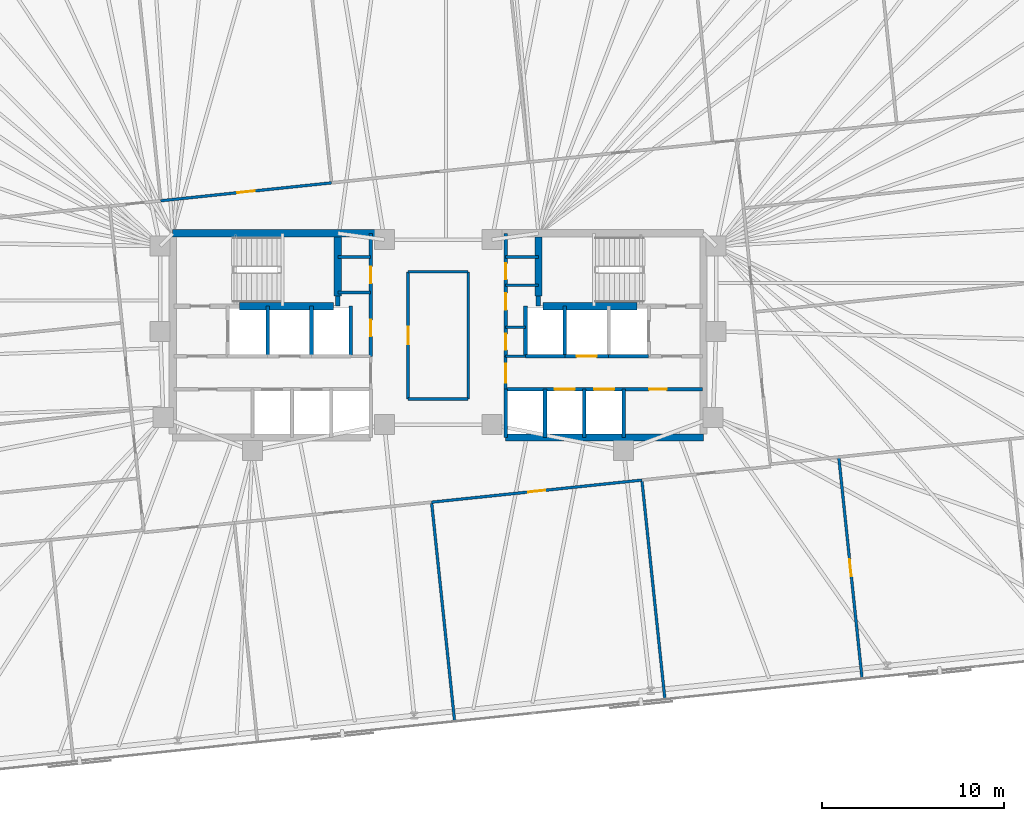
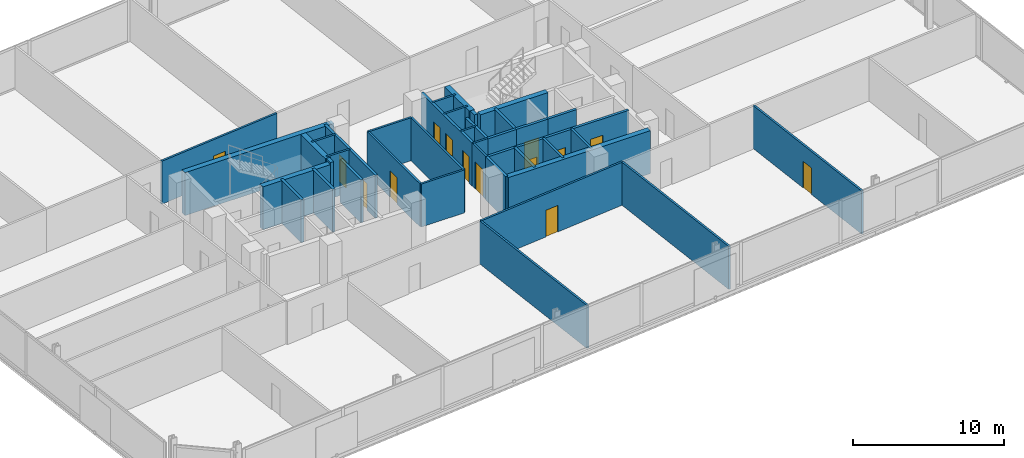
# One storey, part 15 of 18: 39 walls, 14 doors, 14 openings.
"""IFC4 building model written with IfcOpenShell, lengths in metres."""

from ifc_helpers import new_model, si_unit, direction, frame, frame_2d, origin, place, context, subcontext, project, spatial, rectangle, extrude, material, layer, layer_set, type_object, element, fill, save


model = new_model("IFC4")

# Units and contexts
model_context = context("Model", 3, precision=1e-05, world=origin(), true_north=direction((0.0, 1.0)))
body_context = subcontext(model_context, "Body", "Model", "MODEL_VIEW")
ifc_project = project(units=[si_unit("LENGTHUNIT", "METRE"), si_unit("AREAUNIT", "SQUARE_METRE"), si_unit("VOLUMEUNIT", "CUBIC_METRE"), si_unit("PLANEANGLEUNIT", "RADIAN"), si_unit("MASSUNIT", "GRAM", prefix="KILO")], contexts=[model_context])

# Site, building, storey
site_placement = place(None, origin())
site = spatial("IfcSite", under=ifc_project, at=site_placement, CompositionType="ELEMENT")
building_placement = place(site_placement, origin())
building = spatial("IfcBuilding", under=site, at=building_placement, Name="Menara Jurai Vektor", CompositionType="ELEMENT")
storey_placement = place(building_placement, frame((0.0, 0.0, 98.5)))
storey = spatial("IfcBuildingStorey", under=building, at=storey_placement, Name="L24", CompositionType="ELEMENT", Elevation=98.5)

# Walls
ifc_material_1 = material(Name="Concrete C40/50", Category="concrete")
ifc_layer_1 = layer(ifc_material_1, 0.25)
ifc_layer_set_1 = layer_set([ifc_layer_1], Name="Concrete C40/50")
wall_type_1 = type_object("IfcWallType", Name="INT-WALL-CORE-250", PredefinedType="STANDARD", material=ifc_layer_set_1)
wall_1_placement = place(storey_placement, frame((-5.5, 1.60009765625, 0.0), z_axis=(0.0, 0.0, 1.0), x_axis=(0.0, 1.0, 0.0)))
element("IfcWall", 1, at=wall_1_placement, inside=storey, type_object=wall_type_1, Name="Interior Wall IW-250 L24", PredefinedType="STANDARD", context=body_context, shape_type="SweptSolid", body=[
    extrude(rectangle(XDim=0.5498046875, YDim=0.25, at=frame_2d((0.27490234375, 0.0))), origin(), (0.0, 0.0, 1.0), 3.47509765625),
])
wall_2_placement = place(storey_placement, frame((-9.35009765625, -1.14990234375, 0.0), z_axis=(0.0, 0.0, 1.0), x_axis=(0.0, 1.0, 0.0)))
element("IfcWall", 2, at=wall_2_placement, inside=storey, type_object=wall_type_1, Name="Interior Wall IW-250 L24", PredefinedType="STANDARD", context=body_context, shape_type="SweptSolid", body=[
    extrude(rectangle(XDim=2.75, YDim=0.199951171875, at=frame_2d((1.375, 0.0))), origin(), (0.0, 0.0, 1.0), 3.47509765625),
])
wall_3_placement = place(storey_placement, frame((5.5, 1.60009765625, 0.0), z_axis=(0.0, 0.0, 1.0), x_axis=(0.0, 1.0, 0.0)))
element("IfcWall", 3, at=wall_3_placement, inside=storey, type_object=wall_type_1, Name="Interior Wall IW-250 L24", PredefinedType="STANDARD", context=body_context, shape_type="SweptSolid", body=[
    extrude(rectangle(XDim=0.5498046875, YDim=0.25, at=frame_2d((0.27490234375, 0.0))), origin(), (0.0, 0.0, 1.0), 3.47509765625),
])
wall_4_placement = place(storey_placement, frame((9.35009765625, -1.14990234375, 0.0), z_axis=(0.0, 0.0, 1.0), x_axis=(1.0, 0.0, 0.0)))
element("IfcWall", 4, at=wall_4_placement, inside=storey, type_object=wall_type_1, Name="Interior Wall IW-250 L24", PredefinedType="STANDARD", context=body_context, shape_type="SweptSolid", body=[
    extrude(rectangle(XDim=2.199951171875, YDim=0.199951171875, at=frame_2d((1.10009765625, 0.0))), origin(), (0.0, 0.0, 1.0), 3.47509765625),
])

# Wall, opening, door
ifc_material_2 = material(Name="Gypsum Fireboard Partition", Category="gypsum")
ifc_layer_2 = layer(ifc_material_2, 0.14990234375)
ifc_layer_set_2 = layer_set([ifc_layer_2], Name="Gypsum Fireboard Partition")
wall_type_2 = type_object("IfcWallType", Name="INT-WALL-CORR-150", PredefinedType="PARTITIONING", material=ifc_layer_set_2)
wall_5_placement = place(storey_placement, frame((3.699951171875, -2.949951171875, 0.0), z_axis=(0.0, 0.0, 1.0), x_axis=(0.0, 1.0, 0.0)))
wall_5 = element("IfcWall", 5, at=wall_5_placement, inside=storey, type_object=wall_type_2, Name="Interior Wall IW-150 L24", PredefinedType="PARTITIONING", context=body_context, shape_type="SweptSolid", body=[
    extrude(rectangle(XDim=1.800048828125, YDim=0.14990234375, at=frame_2d((0.89990234375, 0.0))), origin(), (0.0, 0.0, 1.0), 3.47509765625),
])
opening_1_placement = place(wall_5_placement, frame((0.35009765625, 0.0, 0.0)))
opening_1 = element("IfcOpeningElement", 6, at=opening_1_placement, cuts=wall_5, Name="Opening D-L24-LLE", PredefinedType="OPENING", context=body_context, shape_type="SweptSolid", body=[
    extrude(rectangle(XDim=1.050048828125, YDim=2.179931640625, at=frame_2d((0.52490234375, 1.08984375))), frame((0.0, 0.0849609375, 0.0), z_axis=(0.0, -1.0, 0.0), x_axis=(1.0, 0.0, 0.0)), (0.0, 0.0, 1.0), 0.169921875),
])
ifc_material_3 = material(Name="Fire-Rated Timber Door", Category="wood")
door_type_1 = type_object("IfcDoorType", Name="DR-LOBBY-1050", OperationType="NOTDEFINED", PredefinedType="DOOR", material=ifc_material_3)
door_1_placement = place(opening_1_placement, frame((1.050048828125, 0.0, 0.0), z_axis=(0.0, 0.0, 1.0), x_axis=(-1.0, 0.0, 0.0)))
door_1 = element("IfcDoor", 7, at=door_1_placement, inside=storey, type_object=door_type_1, Name="Lift Lobby Corridor Door E L24", OperationType="SINGLE_SWING_RIGHT", OverallHeight=2.179931640625, OverallWidth=1.050048828125, PredefinedType="DOOR", context=body_context, shape_type="SweptSolid", body=[
    extrude(rectangle(XDim=1.050048828125, YDim=2.179931640625, at=frame_2d((0.52490234375, 1.08984375))), frame((0.0, 0.02490234375, 0.0), z_axis=(0.0, -1.0, 0.0), x_axis=(1.0, 0.0, 0.0)), (0.0, 0.0, 1.0), 0.050048828125),
])
fill(opening_1, door_1)

# Walls
wall_6_placement = place(storey_placement, frame((3.699951171875, -1.14990234375, 0.0), z_axis=(0.0, 0.0, 1.0), x_axis=(1.0, 0.0, 0.0)))
element("IfcWall", 8, at=wall_6_placement, inside=storey, type_object=wall_type_2, Name="Interior Wall IW-150 L24", PredefinedType="PARTITIONING", context=body_context, shape_type="SweptSolid", body=[
    extrude(rectangle(XDim=1.090087890625, YDim=0.14990234375, at=frame_2d((0.544921875, 0.0))), origin(), (0.0, 0.0, 1.0), 3.47509765625),
])
for number, where, z_axis, x_axis, name in (
    (9, (-5.5, 4.300048828125, 0.0), (0.0, 0.0, 1.0), (1.0, 0.0, 0.0), "Interior Wall IW-150 L24"),
    (10, (-5.5, 2.35009765625, 0.0), (0.0, 0.0, 1.0), (1.0, 0.0, 0.0), "Interior Wall IW-150 L24"),
    (11, (3.699951171875, 4.300048828125, 0.0), (0.0, 0.0, 1.0), (1.0, 0.0, 0.0), "Interior Wall IW-150 L24"),
):
    element("IfcWall", number, at=place(storey_placement, frame(where, z_axis=z_axis, x_axis=x_axis)), inside=storey, type_object=wall_type_2, Name=name, PredefinedType="PARTITIONING", context=body_context, shape_type="SweptSolid", body=[
        extrude(rectangle(XDim=1.800048828125, YDim=0.14990234375, at=frame_2d((0.89990234375, 0.0))), origin(), (0.0, 0.0, 1.0), 3.47509765625),
    ])
wall_7_placement = place(storey_placement, frame((3.699951171875, 0.449951171875, 0.0), z_axis=(0.0, 0.0, 1.0), x_axis=(1.0, 0.0, 0.0)))
element("IfcWall", 12, at=wall_7_placement, inside=storey, type_object=wall_type_2, Name="Interior Wall IW-150 L24", PredefinedType="PARTITIONING", context=body_context, shape_type="SweptSolid", body=[
    extrude(rectangle(XDim=1.090087890625, YDim=0.14990234375, at=frame_2d((0.544921875, 0.0))), origin(), (0.0, 0.0, 1.0), 3.47509765625),
])
wall_8_placement = place(storey_placement, frame((3.699951171875, 2.75, 0.0), z_axis=(0.0, 0.0, 1.0), x_axis=(1.0, 0.0, 0.0)))
element("IfcWall", 13, at=wall_8_placement, inside=storey, type_object=wall_type_2, Name="Interior Wall IW-150 L24", PredefinedType="PARTITIONING", context=body_context, shape_type="SweptSolid", body=[
    extrude(rectangle(XDim=1.800048828125, YDim=0.14990234375, at=frame_2d((0.89990234375, 0.0))), origin(), (0.0, 0.0, 1.0), 3.47509765625),
])

# Wall, opening, door
wall_9_placement = place(storey_placement, frame((-1.649658203125, -3.490478515625, 0.0), z_axis=(0.0, 0.0, 1.0), x_axis=(-0.000104928124, 0.999999994495, 0.0)))
wall_9 = element("IfcWall", 14, at=wall_9_placement, inside=storey, type_object=wall_type_2, Name="Interior Wall IW-150 L24", PredefinedType="PARTITIONING", context=body_context, shape_type="SweptSolid", body=[
    extrude(rectangle(XDim=6.980224609375, YDim=0.14990234375, at=frame_2d((3.490234375, 0.0))), origin(), (0.0, 0.0, 1.0), 3.47509765625),
])
opening_2_placement = place(wall_9_placement, frame((3.01513671875, 0.0, 0.0)))
opening_2 = element("IfcOpeningElement", 15, at=opening_2_placement, cuts=wall_9, Name="Opening D24-08", PredefinedType="OPENING", context=body_context, shape_type="SweptSolid", body=[
    extrude(rectangle(XDim=0.949951171875, YDim=2.14990234375, at=frame_2d((0.47509765625, 1.074951171875))), frame((0.0, 0.0849609375, 0.0), z_axis=(0.0, -1.0, 0.0), x_axis=(1.0, 0.0, 0.0)), (0.0, 0.0, 1.0), 0.169921875),
])
ifc_material_4 = material(Name="Solid Core Timber Fire Door", Category="wood")
door_type_2 = type_object("IfcDoorType", Name="DR-ENTRY-950", OperationType="NOTDEFINED", PredefinedType="DOOR", material=ifc_material_4)
door_2_placement = place(opening_2_placement, origin())
door_2 = element("IfcDoor", 16, at=door_2_placement, inside=storey, type_object=door_type_2, Name="Interior Door D24-08", OperationType="SINGLE_SWING_LEFT", OverallHeight=2.14990234375, OverallWidth=0.949951171875, PredefinedType="DOOR", context=body_context, shape_type="SweptSolid", body=[
    extrude(rectangle(XDim=0.949951171875, YDim=2.14990234375, at=frame_2d((0.47509765625, 1.074951171875))), frame((0.0, 0.02490234375, 0.0), z_axis=(0.0, -1.0, 0.0), x_axis=(1.0, 0.0, 0.0)), (0.0, 0.0, 1.0), 0.050048828125),
])
fill(opening_2, door_2)

# Walls
wall_10_placement = place(storey_placement, frame((-1.649658203125, -3.490478515625, 0.0), z_axis=(0.0, 0.0, 1.0), x_axis=(1.0, 0.0, 0.0)))
element("IfcWall", 17, at=wall_10_placement, inside=storey, type_object=wall_type_2, Name="Interior Wall IW-150 L24", PredefinedType="PARTITIONING", context=body_context, shape_type="SweptSolid", body=[
    extrude(rectangle(XDim=3.300048828125, YDim=0.14990234375, at=frame_2d((1.64990234375, 0.0))), origin(), (0.0, 0.0, 1.0), 3.47509765625),
])
wall_11_placement = place(storey_placement, frame((-1.650390625, 3.48974609375, 0.0), z_axis=(0.0, 0.0, 1.0), x_axis=(1.0, 0.0, 0.0)))
element("IfcWall", 18, at=wall_11_placement, inside=storey, type_object=wall_type_2, Name="Interior Wall IW-150 L24", PredefinedType="PARTITIONING", context=body_context, shape_type="SweptSolid", body=[
    extrude(rectangle(XDim=3.30029296875, YDim=0.14990234375, at=frame_2d((1.650146484375, 0.0))), origin(), (0.0, 0.0, 1.0), 3.47509765625),
])
wall_12_placement = place(storey_placement, frame((1.650390625, -3.490478515625, 0.0), z_axis=(0.0, 0.0, 1.0), x_axis=(-6.9952083e-05, 0.999999997553, 0.0)))
element("IfcWall", 19, at=wall_12_placement, inside=storey, type_object=wall_type_2, Name="Interior Wall IW-150 L24", PredefinedType="PARTITIONING", context=body_context, shape_type="SweptSolid", body=[
    extrude(rectangle(XDim=6.980224609375, YDim=0.14990234375, at=frame_2d((3.490234375, 0.0))), origin(), (0.0, 0.0, 1.0), 3.47509765625),
])

# Wall, opening, door
wall_13_placement = place(storey_placement, frame((-15.2197265625, 7.384765625, 0.0), z_axis=(0.0, 0.0, 1.0), x_axis=(0.994522614078, 0.104521624979, 0.0)))
wall_13 = element("IfcWall", 20, at=wall_13_placement, inside=storey, type_object=wall_type_2, Name="Interior Wall IW-150 L24", PredefinedType="PARTITIONING", context=body_context, shape_type="SweptSolid", body=[
    extrude(rectangle(XDim=9.4248046875, YDim=0.14990234375, at=frame_2d((4.71240234375, 0.0))), origin(), (0.0, 0.0, 1.0), 3.47509765625),
])
opening_3_placement = place(wall_13_placement, frame((4.237548828125, 0.0, 0.0)))
opening_3 = element("IfcOpeningElement", 21, at=opening_3_placement, cuts=wall_13, Name="Opening D24-10", PredefinedType="OPENING", context=body_context, shape_type="SweptSolid", body=[
    extrude(rectangle(XDim=0.949951171875, YDim=2.14990234375, at=frame_2d((0.47509765625, 1.074951171875))), frame((0.0, 0.0849609375, 0.0), z_axis=(0.0, -1.0, 0.0), x_axis=(1.0, 0.0, 0.0)), (0.0, 0.0, 1.0), 0.169921875),
])
door_3_placement = place(opening_3_placement, origin())
door_3 = element("IfcDoor", 22, at=door_3_placement, inside=storey, type_object=door_type_2, Name="Interior Door D24-10", OperationType="SINGLE_SWING_LEFT", OverallHeight=2.14990234375, OverallWidth=0.949951171875, PredefinedType="DOOR", context=body_context, shape_type="SweptSolid", body=[
    extrude(rectangle(XDim=0.949951171875, YDim=2.14990234375, at=frame_2d((0.47509765625, 1.074951171875))), frame((0.0, 0.02490234375, 0.0), z_axis=(0.0, -1.0, 0.0), x_axis=(1.0, 0.0, 0.0)), (0.0, 0.0, 1.0), 0.050048828125),
])
fill(opening_3, door_3)

wall_14_placement = place(storey_placement, frame((-0.35986328125, -9.150634765625, 0.0), z_axis=(0.0, 0.0, 1.0), x_axis=(0.994520780406, 0.10453907088, 0.0)))
wall_14 = element("IfcWall", 23, at=wall_14_placement, inside=storey, type_object=wall_type_2, Name="Interior Wall IW-150 L24", PredefinedType="PARTITIONING", context=body_context, shape_type="SweptSolid", body=[
    extrude(rectangle(XDim=11.599853515625, YDim=0.14990234375, at=frame_2d((5.7998046875, 0.0))), origin(), (0.0, 0.0, 1.0), 3.47509765625),
])
opening_4_placement = place(wall_14_placement, frame((5.324951171875, 0.0, 0.0)))
opening_4 = element("IfcOpeningElement", 24, at=opening_4_placement, cuts=wall_14, Name="Opening D24-16", PredefinedType="OPENING", context=body_context, shape_type="SweptSolid", body=[
    extrude(rectangle(XDim=0.949951171875, YDim=2.14990234375, at=frame_2d((0.47509765625, 1.074951171875))), frame((0.0, 0.0849609375, 0.0), z_axis=(0.0, -1.0, 0.0), x_axis=(1.0, 0.0, 0.0)), (0.0, 0.0, 1.0), 0.169921875),
])
door_4_placement = place(opening_4_placement, origin())
door_4 = element("IfcDoor", 25, at=door_4_placement, inside=storey, type_object=door_type_2, Name="Interior Door D24-16", OperationType="SINGLE_SWING_LEFT", OverallHeight=2.14990234375, OverallWidth=0.949951171875, PredefinedType="DOOR", context=body_context, shape_type="SweptSolid", body=[
    extrude(rectangle(XDim=0.949951171875, YDim=2.14990234375, at=frame_2d((0.47509765625, 1.074951171875))), frame((0.0, 0.02490234375, 0.0), z_axis=(0.0, -1.0, 0.0), x_axis=(1.0, 0.0, 0.0)), (0.0, 0.0, 1.0), 0.050048828125),
])
fill(opening_4, door_4)

# Walls
wall_15_placement = place(storey_placement, frame((0.904052734375, -21.17724609375, 0.0), z_axis=(0.0, 0.0, 1.0), x_axis=(-0.104517685722, 0.994523028075, 0.0)))
element("IfcWall", 26, at=wall_15_placement, inside=storey, type_object=wall_type_2, Name="Interior Wall IW-150 L24", PredefinedType="PARTITIONING", context=body_context, shape_type="SweptSolid", body=[
    extrude(rectangle(XDim=12.0927734375, YDim=0.14990234375, at=frame_2d((6.04638671875, 0.0))), origin(), (0.0, 0.0, 1.0), 3.47509765625),
])
wall_16_placement = place(storey_placement, frame((12.440673828125, -19.96484375, 0.0), z_axis=(0.0, 0.0, 1.0), x_axis=(-0.104535555083, 0.994521149963, 0.0)))
element("IfcWall", 27, at=wall_16_placement, inside=storey, type_object=wall_type_2, Name="Interior Wall IW-150 L24", PredefinedType="PARTITIONING", context=body_context, shape_type="SweptSolid", body=[
    extrude(rectangle(XDim=12.093017578125, YDim=0.14990234375, at=frame_2d((6.04638671875, 0.0))), origin(), (0.0, 0.0, 1.0), 3.47509765625),
])

# Wall, opening, door
wall_17_placement = place(storey_placement, frame((23.256103515625, -18.828125, 0.0), z_axis=(0.0, 0.0, 1.0), x_axis=(-0.104540236679, 0.994520657862, 0.0)))
wall_17 = element("IfcWall", 28, at=wall_17_placement, inside=storey, type_object=wall_type_2, Name="Interior Wall IW-150 L24", PredefinedType="PARTITIONING", context=body_context, shape_type="SweptSolid", body=[
    extrude(rectangle(XDim=12.220947265625, YDim=0.14990234375, at=frame_2d((6.1103515625, 0.0))), origin(), (0.0, 0.0, 1.0), 3.47509765625),
])
opening_5_placement = place(wall_17_placement, frame((5.635498046875, 0.0, 0.0)))
opening_5 = element("IfcOpeningElement", 29, at=opening_5_placement, cuts=wall_17, Name="Opening D24-28", PredefinedType="OPENING", context=body_context, shape_type="SweptSolid", body=[
    extrude(rectangle(XDim=0.949951171875, YDim=2.14990234375, at=frame_2d((0.47509765625, 1.074951171875))), frame((0.0, 0.0849609375, 0.0), z_axis=(0.0, -1.0, 0.0), x_axis=(1.0, 0.0, 0.0)), (0.0, 0.0, 1.0), 0.169921875),
])
door_5_placement = place(opening_5_placement, origin())
door_5 = element("IfcDoor", 30, at=door_5_placement, inside=storey, type_object=door_type_2, Name="Interior Door D24-28", OperationType="SINGLE_SWING_LEFT", OverallHeight=2.14990234375, OverallWidth=0.949951171875, PredefinedType="DOOR", context=body_context, shape_type="SweptSolid", body=[
    extrude(rectangle(XDim=0.949951171875, YDim=2.14990234375, at=frame_2d((0.47509765625, 1.074951171875))), frame((0.0, 0.02490234375, 0.0), z_axis=(0.0, -1.0, 0.0), x_axis=(1.0, 0.0, 0.0)), (0.0, 0.0, 1.0), 0.050048828125),
])
fill(opening_5, door_5)

# Wall, openings, doors
ifc_layer_3 = layer(ifc_material_1, 0.199951171875)
ifc_layer_set_3 = layer_set([ifc_layer_3], Name="Concrete C40/50")
wall_type_3 = type_object("IfcWallType", Name="INT-WALL-SHAFT-200", PredefinedType="STANDARD", material=ifc_layer_set_3)
wall_18_placement = place(storey_placement, frame((-3.699951171875, -1.14990234375, 0.0), z_axis=(0.0, 0.0, 1.0), x_axis=(0.0, 1.0, 0.0)))
wall_18 = element("IfcWall", 31, at=wall_18_placement, inside=storey, type_object=wall_type_3, Name="Interior Wall IW-200 L24", PredefinedType="STANDARD", context=body_context, shape_type="SweptSolid", body=[
    extrude(rectangle(XDim=6.75, YDim=0.199951171875, at=frame_2d((3.375, 0.0))), origin(), (0.0, 0.0, 1.0), 3.47509765625),
])
opening_6_placement = place(wall_18_placement, frame((1.10009765625, 0.0, 0.0)))
opening_6 = element("IfcOpeningElement", 32, at=opening_6_placement, cuts=wall_18, Name="Opening D24-02", PredefinedType="OPENING", context=body_context, shape_type="SweptSolid", body=[
    extrude(rectangle(XDim=0.89990234375, YDim=2.14990234375, at=frame_2d((0.449951171875, 1.074951171875))), frame((0.0, 0.10986328125, 0.0), z_axis=(0.0, -1.0, 0.0), x_axis=(1.0, 0.0, 0.0)), (0.0, 0.0, 1.0), 0.219970703125),
])
opening_7_placement = place(wall_18_placement, frame((4.0, 0.0, 0.0)))
opening_7 = element("IfcOpeningElement", 33, at=opening_7_placement, cuts=wall_18, Name="Opening D24-03", PredefinedType="OPENING", context=body_context, shape_type="SweptSolid", body=[
    extrude(rectangle(XDim=0.919921875, YDim=2.14990234375, at=frame_2d((0.4599609375, 1.074951171875))), frame((0.0, 0.10986328125, 0.0), z_axis=(0.0, -1.0, 0.0), x_axis=(1.0, 0.0, 0.0)), (0.0, 0.0, 1.0), 0.219970703125),
])
door_6_placement = place(opening_6_placement, origin())
door_6 = element("IfcDoor", 34, at=door_6_placement, inside=storey, type_object=door_type_2, Name="Interior Door D24-02", OperationType="SINGLE_SWING_LEFT", OverallHeight=2.14990234375, OverallWidth=0.89990234375, PredefinedType="DOOR", context=body_context, shape_type="SweptSolid", body=[
    extrude(rectangle(XDim=0.89990234375, YDim=2.14990234375, at=frame_2d((0.449951171875, 1.074951171875))), frame((0.0, 0.02490234375, 0.0), z_axis=(0.0, -1.0, 0.0), x_axis=(1.0, 0.0, 0.0)), (0.0, 0.0, 1.0), 0.050048828125),
])
fill(opening_6, door_6)
door_7_placement = place(opening_7_placement, origin())
door_7 = element("IfcDoor", 35, at=door_7_placement, inside=storey, type_object=door_type_2, Name="Interior Door D24-03", OperationType="SINGLE_SWING_LEFT", OverallHeight=2.14990234375, OverallWidth=0.919921875, PredefinedType="DOOR", context=body_context, shape_type="SweptSolid", body=[
    extrude(rectangle(XDim=0.919921875, YDim=2.14990234375, at=frame_2d((0.4599609375, 1.074951171875))), frame((0.0, 0.02490234375, 0.0), z_axis=(0.0, -1.0, 0.0), x_axis=(1.0, 0.0, 0.0)), (0.0, 0.0, 1.0), 0.050048828125),
])
fill(opening_7, door_7)

# Walls
for number, where, z_axis, x_axis, name in (
    (36, (-6.949951171875, -1.14990234375, 0.0), (0.0, 0.0, 1.0), (0.0, 1.0, 0.0), "Interior Wall IW-200 L24"),
    (37, (-4.7900390625, -1.14990234375, 0.0), (0.0, 0.0, 1.0), (0.0, 1.0, 0.0), "Interior Wall IW-200 L24"),
):
    element("IfcWall", number, at=place(storey_placement, frame(where, z_axis=z_axis, x_axis=x_axis)), inside=storey, type_object=wall_type_3, Name=name, PredefinedType="STANDARD", context=body_context, shape_type="SweptSolid", body=[
        extrude(rectangle(XDim=2.75, YDim=0.199951171875, at=frame_2d((1.375, 0.0))), origin(), (0.0, 0.0, 1.0), 3.47509765625),
    ])

# Wall, openings, doors
wall_19_placement = place(storey_placement, frame((3.699951171875, -1.14990234375, 0.0), z_axis=(0.0, 0.0, 1.0), x_axis=(0.0, 1.0, 0.0)))
wall_19 = element("IfcWall", 38, at=wall_19_placement, inside=storey, type_object=wall_type_3, Name="Interior Wall IW-200 L24", PredefinedType="STANDARD", context=body_context, shape_type="SweptSolid", body=[
    extrude(rectangle(XDim=6.75, YDim=0.199951171875, at=frame_2d((3.375, 0.0))), origin(), (0.0, 0.0, 1.0), 3.47509765625),
])
opening_8_placement = place(wall_19_placement, frame((0.35009765625, 0.0, 0.0)))
opening_8 = element("IfcOpeningElement", 39, at=opening_8_placement, cuts=wall_19, Name="Opening D24-05", PredefinedType="OPENING", context=body_context, shape_type="SweptSolid", body=[
    extrude(rectangle(XDim=0.8798828125, YDim=2.14990234375, at=frame_2d((0.43994140625, 1.074951171875))), frame((0.0, 0.10986328125, 0.0), z_axis=(0.0, -1.0, 0.0), x_axis=(1.0, 0.0, 0.0)), (0.0, 0.0, 1.0), 0.219970703125),
])
opening_9_placement = place(wall_19_placement, frame((2.550048828125, 0.0, 0.0)))
opening_9 = element("IfcOpeningElement", 40, at=opening_9_placement, cuts=wall_19, Name="Opening D24-06", PredefinedType="OPENING", context=body_context, shape_type="SweptSolid", body=[
    extrude(rectangle(XDim=0.919921875, YDim=2.14990234375, at=frame_2d((0.4599609375, 1.074951171875))), frame((0.0, 0.10986328125, 0.0), z_axis=(0.0, -1.0, 0.0), x_axis=(1.0, 0.0, 0.0)), (0.0, 0.0, 1.0), 0.219970703125),
])
opening_10_placement = place(wall_19_placement, frame((4.219970703125, 0.0, 0.0)))
opening_10 = element("IfcOpeningElement", 41, at=opening_10_placement, cuts=wall_19, Name="Opening D24-07", PredefinedType="OPENING", context=body_context, shape_type="SweptSolid", body=[
    extrude(rectangle(XDim=0.8798828125, YDim=2.14990234375, at=frame_2d((0.43994140625, 1.074951171875))), frame((0.0, 0.10986328125, 0.0), z_axis=(0.0, -1.0, 0.0), x_axis=(1.0, 0.0, 0.0)), (0.0, 0.0, 1.0), 0.219970703125),
])
door_8_placement = place(opening_8_placement, origin())
door_8 = element("IfcDoor", 42, at=door_8_placement, inside=storey, type_object=door_type_2, Name="Interior Door D24-05", OperationType="SINGLE_SWING_RIGHT", OverallHeight=2.14990234375, OverallWidth=0.8798828125, PredefinedType="DOOR", context=body_context, shape_type="SweptSolid", body=[
    extrude(rectangle(XDim=0.8798828125, YDim=2.14990234375, at=frame_2d((0.43994140625, 1.074951171875))), frame((0.0, 0.02490234375, 0.0), z_axis=(0.0, -1.0, 0.0), x_axis=(1.0, 0.0, 0.0)), (0.0, 0.0, 1.0), 0.050048828125),
])
fill(opening_8, door_8)
door_9_placement = place(opening_9_placement, origin())
door_9 = element("IfcDoor", 43, at=door_9_placement, inside=storey, type_object=door_type_2, Name="Interior Door D24-06", OperationType="SINGLE_SWING_RIGHT", OverallHeight=2.14990234375, OverallWidth=0.919921875, PredefinedType="DOOR", context=body_context, shape_type="SweptSolid", body=[
    extrude(rectangle(XDim=0.919921875, YDim=2.14990234375, at=frame_2d((0.4599609375, 1.074951171875))), frame((0.0, 0.02490234375, 0.0), z_axis=(0.0, -1.0, 0.0), x_axis=(1.0, 0.0, 0.0)), (0.0, 0.0, 1.0), 0.050048828125),
])
fill(opening_9, door_9)
door_10_placement = place(opening_10_placement, origin())
door_10 = element("IfcDoor", 44, at=door_10_placement, inside=storey, type_object=door_type_2, Name="Interior Door D24-07", OperationType="SINGLE_SWING_RIGHT", OverallHeight=2.14990234375, OverallWidth=0.8798828125, PredefinedType="DOOR", context=body_context, shape_type="SweptSolid", body=[
    extrude(rectangle(XDim=0.8798828125, YDim=2.14990234375, at=frame_2d((0.43994140625, 1.074951171875))), frame((0.0, 0.02490234375, 0.0), z_axis=(0.0, -1.0, 0.0), x_axis=(1.0, 0.0, 0.0)), (0.0, 0.0, 1.0), 0.050048828125),
])
fill(opening_10, door_10)

# Walls
wall_20_placement = place(storey_placement, frame((3.699951171875, -5.60009765625, 0.0), z_axis=(0.0, 0.0, 1.0), x_axis=(0.0, 1.0, 0.0)))
element("IfcWall", 45, at=wall_20_placement, inside=storey, type_object=wall_type_3, Name="Interior Wall IW-200 L24", PredefinedType="STANDARD", context=body_context, shape_type="SweptSolid", body=[
    extrude(rectangle(XDim=2.650146484375, YDim=0.199951171875, at=frame_2d((1.3251953125, 0.0))), origin(), (0.0, 0.0, 1.0), 3.47509765625),
])
wall_21_placement = place(storey_placement, frame((6.949951171875, -1.14990234375, 0.0), z_axis=(0.0, 0.0, 1.0), x_axis=(0.0, 1.0, 0.0)))
element("IfcWall", 46, at=wall_21_placement, inside=storey, type_object=wall_type_3, Name="Interior Wall IW-200 L24", PredefinedType="STANDARD", context=body_context, shape_type="SweptSolid", body=[
    extrude(rectangle(XDim=2.75, YDim=0.199951171875, at=frame_2d((1.375, 0.0))), origin(), (0.0, 0.0, 1.0), 3.47509765625),
])

# Wall, opening, door
wall_22_placement = place(storey_placement, frame((6.949951171875, -1.14990234375, 0.0), z_axis=(0.0, 0.0, 1.0), x_axis=(1.0, 0.0, 0.0)))
wall_22 = element("IfcWall", 47, at=wall_22_placement, inside=storey, type_object=wall_type_3, Name="Interior Wall IW-200 L24", PredefinedType="STANDARD", context=body_context, shape_type="SweptSolid", body=[
    extrude(rectangle(XDim=2.400146484375, YDim=0.199951171875, at=frame_2d((1.2001953125, 0.0))), origin(), (0.0, 0.0, 1.0), 3.47509765625),
])
opening_11_placement = place(wall_22_placement, frame((0.64990234375, 0.0, 0.0)))
opening_11 = element("IfcOpeningElement", 48, at=opening_11_placement, cuts=wall_22, Name="Opening LD-L24-SVL2", PredefinedType="OPENING", context=body_context, shape_type="SweptSolid", body=[
    extrude(rectangle(XDim=1.10009765625, YDim=2.14990234375, at=frame_2d((0.550048828125, 1.074951171875))), frame((0.0, 0.10986328125, 0.0), z_axis=(0.0, -1.0, 0.0), x_axis=(1.0, 0.0, 0.0)), (0.0, 0.0, 1.0), 0.219970703125),
])
ifc_material_5 = material(Name="Anodised Stainless Sliding Lift Landing Door", Category="steel")
door_type_3 = type_object("IfcDoorType", Name="DR-LIFT-PASS-1100", OperationType="NOTDEFINED", PredefinedType="DOOR", material=ifc_material_5)
door_11_placement = place(opening_11_placement, origin())
door_11 = element("IfcDoor", 49, at=door_11_placement, inside=storey, type_object=door_type_3, Name="Lift Landing Door SVL2 L24", OperationType="SLIDING_TO_RIGHT", OverallHeight=2.14990234375, OverallWidth=1.10009765625, PredefinedType="DOOR", context=body_context, shape_type="SweptSolid", body=[
    extrude(rectangle(XDim=1.10009765625, YDim=2.14990234375, at=frame_2d((0.550048828125, 1.074951171875))), frame((0.0, 0.02490234375, 0.0), z_axis=(0.0, -1.0, 0.0), x_axis=(1.0, 0.0, 0.0)), (0.0, 0.0, 1.0), 0.050048828125),
])
fill(opening_11, door_11)

# Walls
wall_23_placement = place(storey_placement, frame((4.7900390625, -1.14990234375, 0.0), z_axis=(0.0, 0.0, 1.0), x_axis=(0.0, 1.0, 0.0)))
element("IfcWall", 50, at=wall_23_placement, inside=storey, type_object=wall_type_3, Name="Interior Wall IW-200 L24", PredefinedType="STANDARD", context=body_context, shape_type="SweptSolid", body=[
    extrude(rectangle(XDim=2.75, YDim=0.199951171875, at=frame_2d((1.375, 0.0))), origin(), (0.0, 0.0, 1.0), 3.47509765625),
])
wall_24_placement = place(storey_placement, frame((4.7900390625, -1.14990234375, 0.0), z_axis=(0.0, 0.0, 1.0), x_axis=(1.0, 0.0, 0.0)))
element("IfcWall", 51, at=wall_24_placement, inside=storey, type_object=wall_type_3, Name="Interior Wall IW-200 L24", PredefinedType="STANDARD", context=body_context, shape_type="SweptSolid", body=[
    extrude(rectangle(XDim=2.159912109375, YDim=0.199951171875, at=frame_2d((1.080078125, 0.0))), origin(), (0.0, 0.0, 1.0), 3.47509765625),
])

# Wall, openings, doors
wall_25_placement = place(storey_placement, frame((3.699951171875, -2.949951171875, 0.0), z_axis=(0.0, 0.0, 1.0), x_axis=(1.0, 0.0, 0.0)))
wall_25 = element("IfcWall", 52, at=wall_25_placement, inside=storey, type_object=wall_type_3, Name="Interior Wall IW-200 L24", PredefinedType="STANDARD", context=body_context, shape_type="SweptSolid", body=[
    extrude(rectangle(XDim=10.800048828125, YDim=0.199951171875, at=frame_2d((5.39990234375, 0.0))), origin(), (0.0, 0.0, 1.0), 3.47509765625),
])
opening_12_placement = place(wall_25_placement, frame((2.68994140625, 0.0, 0.0)))
opening_12 = element("IfcOpeningElement", 53, at=opening_12_placement, cuts=wall_25, Name="Opening LD-L24-PM3", PredefinedType="OPENING", context=body_context, shape_type="SweptSolid", body=[
    extrude(rectangle(XDim=1.10009765625, YDim=2.14990234375, at=frame_2d((0.550048828125, 1.074951171875))), frame((0.0, 0.10986328125, 0.0), z_axis=(0.0, -1.0, 0.0), x_axis=(1.0, 0.0, 0.0)), (0.0, 0.0, 1.0), 0.219970703125),
])
opening_13_placement = place(wall_25_placement, frame((4.85009765625, 0.0, 0.0)))
opening_13 = element("IfcOpeningElement", 54, at=opening_13_placement, cuts=wall_25, Name="Opening LD-L24-PM4", PredefinedType="OPENING", context=body_context, shape_type="SweptSolid", body=[
    extrude(rectangle(XDim=1.10009765625, YDim=2.14990234375, at=frame_2d((0.550048828125, 1.074951171875))), frame((0.0, 0.10986328125, 0.0), z_axis=(0.0, -1.0, 0.0), x_axis=(1.0, 0.0, 0.0)), (0.0, 0.0, 1.0), 0.219970703125),
])
opening_14_placement = place(wall_25_placement, frame((7.8798828125, 0.0, 0.0)))
opening_14 = element("IfcOpeningElement", 55, at=opening_14_placement, cuts=wall_25, Name="Opening D24-04", PredefinedType="OPENING", context=body_context, shape_type="SweptSolid", body=[
    extrude(rectangle(XDim=0.949951171875, YDim=2.14990234375, at=frame_2d((0.47509765625, 1.074951171875))), frame((0.0, 0.10986328125, 0.0), z_axis=(0.0, -1.0, 0.0), x_axis=(1.0, 0.0, 0.0)), (0.0, 0.0, 1.0), 0.219970703125),
])
door_12_placement = place(opening_14_placement, origin())
door_12 = element("IfcDoor", 56, at=door_12_placement, inside=storey, type_object=door_type_2, Name="Interior Door D24-04", OperationType="SINGLE_SWING_LEFT", OverallHeight=2.14990234375, OverallWidth=0.949951171875, PredefinedType="DOOR", context=body_context, shape_type="SweptSolid", body=[
    extrude(rectangle(XDim=0.949951171875, YDim=2.14990234375, at=frame_2d((0.47509765625, 1.074951171875))), frame((0.0, 0.02490234375, 0.0), z_axis=(0.0, -1.0, 0.0), x_axis=(1.0, 0.0, 0.0)), (0.0, 0.0, 1.0), 0.050048828125),
])
fill(opening_14, door_12)
door_13_placement = place(opening_12_placement, origin())
door_13 = element("IfcDoor", 57, at=door_13_placement, inside=storey, type_object=door_type_3, Name="Lift Landing Door PM3 L24", OperationType="SLIDING_TO_LEFT", OverallHeight=2.14990234375, OverallWidth=1.10009765625, PredefinedType="DOOR", context=body_context, shape_type="SweptSolid", body=[
    extrude(rectangle(XDim=1.10009765625, YDim=2.14990234375, at=frame_2d((0.550048828125, 1.074951171875))), frame((0.0, 0.02490234375, 0.0), z_axis=(0.0, -1.0, 0.0), x_axis=(1.0, 0.0, 0.0)), (0.0, 0.0, 1.0), 0.050048828125),
])
fill(opening_12, door_13)
door_14_placement = place(opening_13_placement, origin())
door_14 = element("IfcDoor", 58, at=door_14_placement, inside=storey, type_object=door_type_3, Name="Lift Landing Door PM4 L24", OperationType="SLIDING_TO_RIGHT", OverallHeight=2.14990234375, OverallWidth=1.10009765625, PredefinedType="DOOR", context=body_context, shape_type="SweptSolid", body=[
    extrude(rectangle(XDim=1.10009765625, YDim=2.14990234375, at=frame_2d((0.550048828125, 1.074951171875))), frame((0.0, 0.02490234375, 0.0), z_axis=(0.0, -1.0, 0.0), x_axis=(1.0, 0.0, 0.0)), (0.0, 0.0, 1.0), 0.050048828125),
])
fill(opening_13, door_14)

# Walls
wall_26_placement = place(storey_placement, frame((5.860107421875, -5.60009765625, 0.0), z_axis=(0.0, 0.0, 1.0), x_axis=(0.0, 1.0, 0.0)))
element("IfcWall", 59, at=wall_26_placement, inside=storey, type_object=wall_type_3, Name="Interior Wall IW-200 L24", PredefinedType="STANDARD", context=body_context, shape_type="SweptSolid", body=[
    extrude(rectangle(XDim=2.650146484375, YDim=0.199951171875, at=frame_2d((1.3251953125, 0.0))), origin(), (0.0, 0.0, 1.0), 3.47509765625),
])
for number, where, z_axis, x_axis, name in (
    (60, (10.179931640625, -5.60009765625, 0.0), (0.0, 0.0, 1.0), (0.0, 1.0, 0.0), "Interior Wall IW-200 L24"),
    (61, (8.02001953125, -5.60009765625, 0.0), (0.0, 0.0, 1.0), (0.0, 1.0, 0.0), "Interior Wall IW-200 L24"),
):
    element("IfcWall", number, at=place(storey_placement, frame(where, z_axis=z_axis, x_axis=x_axis)), inside=storey, type_object=wall_type_3, Name=name, PredefinedType="STANDARD", context=body_context, shape_type="SweptSolid", body=[
        extrude(rectangle(XDim=2.650146484375, YDim=0.179931640625, at=frame_2d((1.3251953125, 0.0))), origin(), (0.0, 0.0, 1.0), 3.47509765625),
    ])
ifc_material_6 = material(Name="Concrete C50/60", Category="concrete")
ifc_layer_4 = layer(ifc_material_6, 0.39990234375)
ifc_layer_set_4 = layer_set([ifc_layer_4], Name="Concrete C50/60")
wall_type_4 = type_object("IfcWallType", Name="STR-WALL-CORE400", PredefinedType="SHEAR", material=ifc_layer_set_4)
wall_27_placement = place(storey_placement, frame((-14.56005859375, 5.60009765625, 0.0), z_axis=(0.0, 0.0, 1.0), x_axis=(1.0, 0.0, 0.0)))
element("IfcWall", 62, at=wall_27_placement, inside=storey, type_object=wall_type_4, Name="Core Shear Wall CW-W-N L24", PredefinedType="SHEAR", context=body_context, shape_type="SweptSolid", body=[
    extrude(rectangle(XDim=11.41015625, YDim=0.39990234375, at=frame_2d((5.705078125, 0.0))), origin(), (0.0, 0.0, 1.0), 3.47509765625),
])
wall_28_placement = place(storey_placement, frame((-5.5, 2.14990234375, 0.0), z_axis=(0.0, 0.0, 1.0), x_axis=(0.0, 1.0, 0.0)))
element("IfcWall", 63, at=wall_28_placement, inside=storey, type_object=wall_type_4, Name="Core Shear Wall CW-W-ST L24", PredefinedType="SHEAR", context=body_context, shape_type="SweptSolid", body=[
    extrude(rectangle(XDim=3.25, YDim=0.39990234375, at=frame_2d((1.625, 0.0))), origin(), (0.0, 0.0, 1.0), 3.47509765625),
])
wall_29_placement = place(storey_placement, frame((-10.89990234375, 1.60009765625, 0.0), z_axis=(0.0, 0.0, 1.0), x_axis=(1.0, 0.0, 0.0)))
element("IfcWall", 64, at=wall_29_placement, inside=storey, type_object=wall_type_4, Name="Core Shear Wall CW-W-STS L24", PredefinedType="SHEAR", context=body_context, shape_type="SweptSolid", body=[
    extrude(rectangle(XDim=5.14990234375, YDim=0.39990234375, at=frame_2d((2.574951171875, 0.0))), origin(), (0.0, 0.0, 1.0), 3.47509765625),
])
wall_30_placement = place(storey_placement, frame((3.699951171875, -5.60009765625, 0.0), z_axis=(0.0, 0.0, 1.0), x_axis=(1.0, 0.0, 0.0)))
element("IfcWall", 65, at=wall_30_placement, inside=storey, type_object=wall_type_4, Name="Core Shear Wall CW-E-S L24", PredefinedType="SHEAR", context=body_context, shape_type="SweptSolid", body=[
    extrude(rectangle(XDim=10.860107421875, YDim=0.39990234375, at=frame_2d((5.43017578125, 0.0))), origin(), (0.0, 0.0, 1.0), 3.47509765625),
])
wall_31_placement = place(storey_placement, frame((5.5, 2.14990234375, 0.0), z_axis=(0.0, 0.0, 1.0), x_axis=(0.0, 1.0, 0.0)))
element("IfcWall", 66, at=wall_31_placement, inside=storey, type_object=wall_type_4, Name="Core Shear Wall CW-E-ST L24", PredefinedType="SHEAR", context=body_context, shape_type="SweptSolid", body=[
    extrude(rectangle(XDim=3.25, YDim=0.39990234375, at=frame_2d((1.625, 0.0))), origin(), (0.0, 0.0, 1.0), 3.47509765625),
])
wall_32_placement = place(storey_placement, frame((5.75, 1.60009765625, 0.0), z_axis=(0.0, 0.0, 1.0), x_axis=(1.0, 0.0, 0.0)))
element("IfcWall", 67, at=wall_32_placement, inside=storey, type_object=wall_type_4, Name="Core Shear Wall CW-E-STS L24", PredefinedType="SHEAR", context=body_context, shape_type="SweptSolid", body=[
    extrude(rectangle(XDim=5.14990234375, YDim=0.39990234375, at=frame_2d((2.574951171875, 0.0))), origin(), (0.0, 0.0, 1.0), 3.47509765625),
])

save(model, "model.ifc")
